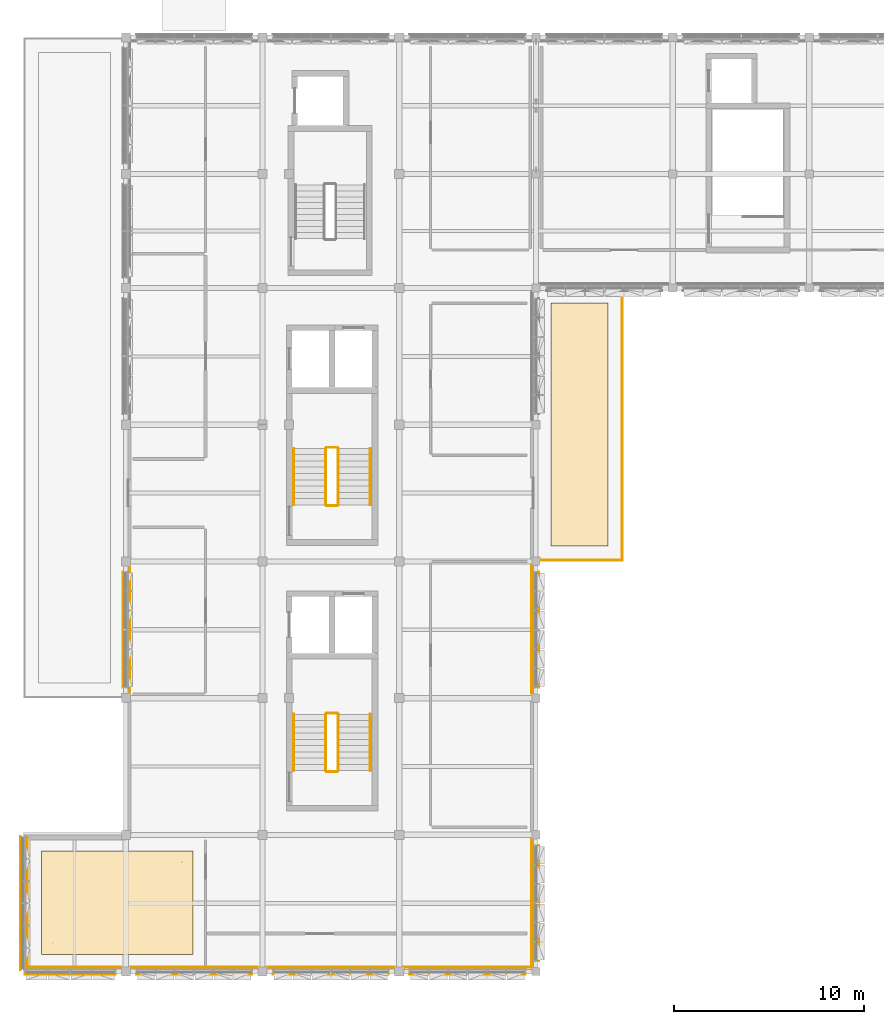
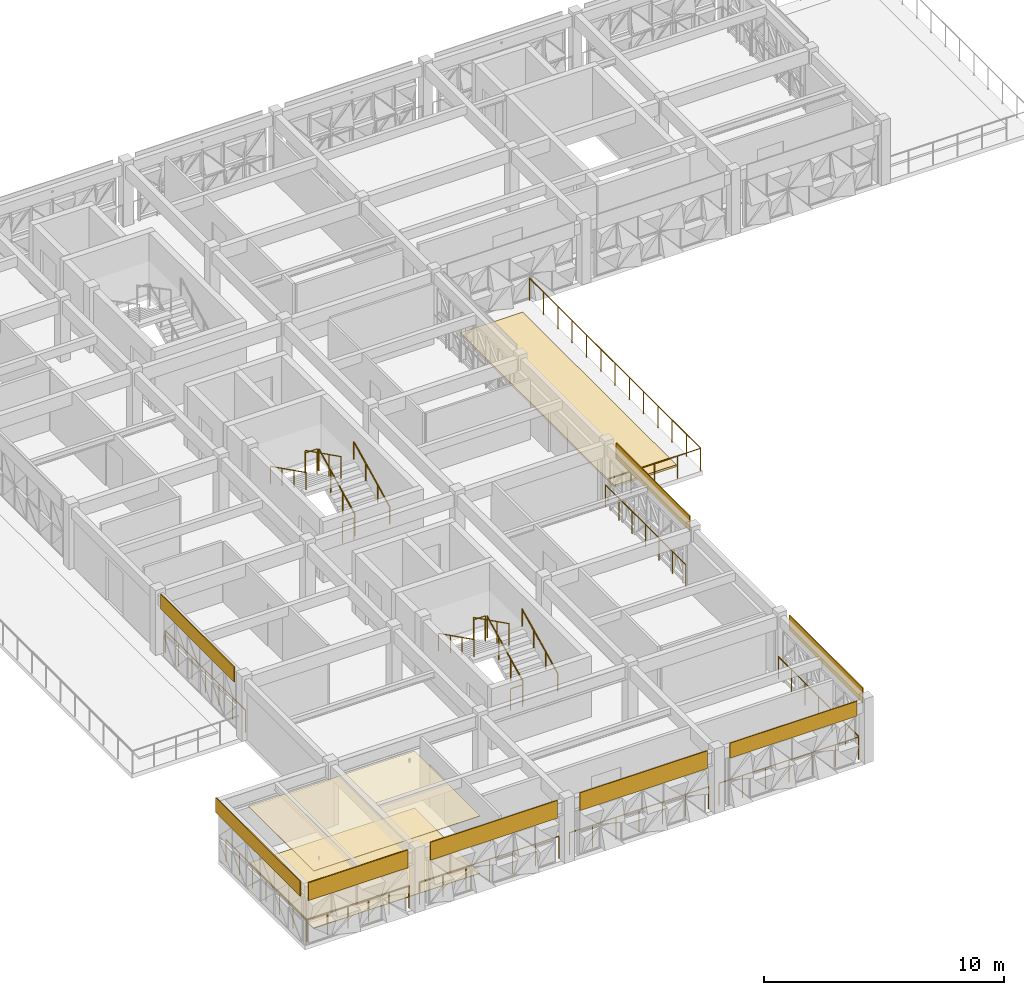
# One storey, part 28 of 35: 22 railings, 11 coverings.
"""IFC4 building model written with IfcOpenShell, lengths in metres."""

from ifc_helpers import new_model, si_unit, direction, frame, origin, origin_2d, place, context, subcontext, project, spatial, polyline, circle, outline, extrude, material, layer, layer_set, type_object, element, save


model = new_model("IFC4")

# Units and contexts
model_context = context("Model", 3, precision=1e-05, world=origin(), true_north=direction((0.0, 1.0)))
body_context = subcontext(model_context, "Body", "Model", "MODEL_VIEW")
ifc_project = project(units=[si_unit("LENGTHUNIT", "METRE"), si_unit("AREAUNIT", "SQUARE_METRE"), si_unit("VOLUMEUNIT", "CUBIC_METRE"), si_unit("PLANEANGLEUNIT", "RADIAN"), si_unit("MASSUNIT", "GRAM", prefix="KILO")], contexts=[model_context])

# Site, building, storey
site_placement = place(None, origin())
site = spatial("IfcSite", under=ifc_project, at=site_placement, CompositionType="ELEMENT")
building_placement = place(site_placement, origin())
building = spatial("IfcBuilding", under=site, at=building_placement, Name="Alvorim Cloister Faculty of Sciences", CompositionType="ELEMENT")
storey_placement = place(building_placement, frame((0.0, 0.0, 22.949951171875)))
storey = spatial("IfcBuildingStorey", under=building, at=storey_placement, Name="L06", CompositionType="ELEMENT", Elevation=22.949951171875)

# Coverings
ifc_material_1 = material(Name="Perforated Timber Acoustic Ceiling", Category="wood")
ifc_layer_1 = layer(ifc_material_1, 0.030029296875)
ifc_layer_set_1 = layer_set([ifc_layer_1], Name="Perforated Timber Acoustic Ceiling")
covering_type_1 = type_object("IfcCoveringType", Name="COV-CEIL-ACOUSTIC", PredefinedType="CEILING", material=ifc_layer_set_1)
covering_1_placement = place(storey_placement, frame((0.0, 0.0, 2.91015625)))
element("IfcCovering", 1, at=covering_1_placement, inside=storey, type_object=covering_type_1, Name="South-West Cantilevered Earth Sciences Salon Acoustic Ceiling", PredefinedType="CEILING", context=body_context, shape_type="SweptSolid", body=[
    extrude(outline(polyline([(2.75, 8.10009765625), (10.75, 8.10009765625), (10.75, 13.550048828125), (2.75, 13.550048828125), (2.75, 8.10009765625)])), origin(), (0.0, 0.0, 1.0), 0.02978515625),
])
ifc_material_2 = material(Name="Anodised Aluminium Alloy 6063-T6", Category="aluminium")
ifc_layer_2 = layer(ifc_material_2, 0.031982421875)
ifc_layer_set_2 = layer_set([ifc_layer_2], Name="Anodised Aluminium Alloy 6063-T6")
covering_type_2 = type_object("IfcCoveringType", Name="COV-FAC-CAS", PredefinedType="CLADDING", material=ifc_layer_set_2)
covering_2_placement = place(storey_placement, frame((1.64990234375, 7.280029296875, 2.537109375), z_axis=(0.0, 0.0, 1.0), x_axis=(0.0, 1.0, 0.0)))
element("IfcCovering", 2, at=covering_2_placement, inside=storey, type_object=covering_type_2, Name="L06 Shifted Bar Slab-Edge Architectural Fascia", PredefinedType="CLADDING", context=body_context, shape_type="SweptSolid", body=[
    extrude(outline(polyline([(0.0, 0.0), (7.0400390625, 0.0), (7.0400390625, 0.7529296875), (0.0, 0.7529296875), (0.0, 0.0)])), frame((0.0, 0.0224609375, 0.0), z_axis=(0.0, -1.0, 0.0), x_axis=(1.0, 0.0, 0.0)), (0.0, 0.0, 1.0), 0.044921875),
])
for number, where, z_axis, x_axis, name in (
    (3, (7.050048828125, 22.139892578125, 2.530029296875), (0.0, 0.0, 1.0), (0.0, 1.0, 0.0), "L06 Shifted Bar Slab-Edge Architectural Fascia"),
    (4, (28.949951171875, 22.139892578125, 2.530029296875), (0.0, 0.0, 1.0), (0.0, 1.0, 0.0), "L06 Shifted Bar Slab-Edge Architectural Fascia"),
    (5, (28.949951171875, 7.739990234375, 2.530029296875), (0.0, 0.0, 1.0), (0.0, 1.0, 0.0), "L06 Shifted Bar Slab-Edge Architectural Fascia"),
    (6, (22.139892578125, 7.050048828125, 2.530029296875), (0.0, 0.0, 1.0), (1.0, 0.0, 0.0), "L06 Shifted Bar Slab-Edge Architectural Fascia"),
):
    element("IfcCovering", number, at=place(storey_placement, frame(where, z_axis=z_axis, x_axis=x_axis)), inside=storey, type_object=covering_type_2, Name=name, PredefinedType="CLADDING", context=body_context, shape_type="SweptSolid", body=[
        extrude(outline(polyline([(0.0, 0.0), (6.1201171875, 0.0), (6.1201171875, 0.760009765625), (0.0, 0.760009765625), (0.0, 0.0)])), frame((0.0, 0.0224609375, 0.0), z_axis=(0.0, -1.0, 0.0), x_axis=(1.0, 0.0, 0.0)), (0.0, 0.0, 1.0), 0.044921875),
    ])
for number, where, z_axis, x_axis, name in (
    (7, (14.93994140625, 7.050048828125, 2.385986328125), (0.0, 0.0, 1.0), (1.0, 0.0, 0.0), "L06 Shifted Bar Slab-Edge Architectural Fascia"),
    (8, (7.739990234375, 7.050048828125, 2.385986328125), (0.0, 0.0, 1.0), (1.0, 0.0, 0.0), "L06 Shifted Bar Slab-Edge Architectural Fascia"),
):
    element("IfcCovering", number, at=place(storey_placement, frame(where, z_axis=z_axis, x_axis=x_axis)), inside=storey, type_object=covering_type_2, Name=name, PredefinedType="CLADDING", context=body_context, shape_type="SweptSolid", body=[
        extrude(outline(polyline([(0.0, 0.0), (6.1201171875, 0.0), (6.1201171875, 0.904052734375), (0.0, 0.904052734375), (0.0, 0.0)])), frame((0.0, 0.0224609375, 0.0), z_axis=(0.0, -1.0, 0.0), x_axis=(1.0, 0.0, 0.0)), (0.0, 0.0, 1.0), 0.044921875),
    ])
covering_3_placement = place(storey_placement, frame((1.8798828125, 7.050048828125, 2.385986328125), z_axis=(0.0, 0.0, 1.0), x_axis=(1.0, 0.0, 0.0)))
element("IfcCovering", 9, at=covering_3_placement, inside=storey, type_object=covering_type_2, Name="L06 Shifted Bar Slab-Edge Architectural Fascia", PredefinedType="CLADDING", context=body_context, shape_type="SweptSolid", body=[
    extrude(outline(polyline([(0.0, 0.0), (4.780029296875, 0.0), (4.780029296875, 0.904052734375), (0.0, 0.904052734375), (0.0, 0.0)])), frame((0.0, 0.0224609375, 0.0), z_axis=(0.0, -1.0, 0.0), x_axis=(1.0, 0.0, 0.0)), (0.0, 0.0, 1.0), 0.044921875),
])
ifc_material_3 = material(Name="Polished Mineral Terrazzo", Category="concrete")
ifc_layer_3 = layer(ifc_material_3, 0.030029296875)
ifc_layer_set_3 = layer_set([ifc_layer_3], Name="Polished Mineral Terrazzo")
covering_type_3 = type_object("IfcCoveringType", Name="COV-FLR-TERRAZZO", PredefinedType="FLOORING", material=ifc_layer_set_3)
covering_4_placement = place(storey_placement, origin())
element("IfcCovering", 10, at=covering_4_placement, inside=storey, type_object=covering_type_3, Name="South-West Cantilevered Earth Sciences Salon Floor Finish", PredefinedType="FLOORING", context=body_context, shape_type="SweptSolid", body=[
    extrude(outline(polyline([(2.75, 8.10009765625), (10.75, 8.10009765625), (10.75, 13.550048828125), (2.75, 13.550048828125), (2.75, 8.10009765625)])), origin(), (0.0, 0.0, 1.0), 0.030029296875),
])
ifc_material_4 = material(Name="Intensive Vegetated Substrate", Category="earth")
ifc_layer_4 = layer(ifc_material_4, 0.10009765625)
ifc_layer_set_4 = layer_set([ifc_layer_4], Name="Intensive Vegetated Substrate")
covering_type_4 = type_object("IfcCoveringType", Name="COV-ROOF-GREEN", PredefinedType="ROOFING", material=ifc_layer_set_4)
covering_5_placement = place(storey_placement, origin())
element("IfcCovering", 11, at=covering_5_placement, inside=storey, type_object=covering_type_4, Name="L06 Upper Cloister Overlook Sky Terrace Quota Ambiental Vegetated Substrate", PredefinedType="ROOFING", context=body_context, shape_type="SweptSolid", body=[
    extrude(outline(polyline([(29.60009765625, 29.60009765625), (32.60009765625, 29.60009765625), (32.60009765625, 42.39990234375), (29.60009765625, 42.39990234375), (29.60009765625, 29.60009765625)])), origin(), (0.0, 0.0, 1.0), 0.10009765625),
])

# Railings
ifc_material_5 = material(Name="Laminated Safety Glass and Bronze", Category="glass")
railing_type_1 = type_object("IfcRailingType", Name="RL-ATR-BAL-1150", PredefinedType="BALUSTRADE", material=ifc_material_5)
for number, where, name in (
    (12, (2.02001953125, 7.449951171875, 0.0), "L06 Curtain Wall Sill Guard BL-234"),
    (13, (7.419921875, 21.85009765625, 0.0), "L06 Curtain Wall Sill Guard BL-235"),
    (14, (28.580078125, 21.85009765625, 0.0), "L06 Curtain Wall Sill Guard BL-250"),
    (15, (28.580078125, 7.449951171875, 0.0), "L06 Curtain Wall Sill Guard BL-251"),
):
    element("IfcRailing", number, at=place(storey_placement, frame(where)), inside=storey, type_object=railing_type_1, Name=name, PredefinedType="BALUSTRADE", context=body_context, shape_type="SweptSolid", body=[
        extrude(circle(Radius=0.02392578125, at=origin_2d()), frame((0.0, 0.0, 1.1259765625), z_axis=(0.0, 1.0, 0.0), x_axis=(-1.0, 0.0, 0.0)), (0.0, 0.0, 1.0), 6.699951171875),
        extrude(circle(Radius=0.02099609375, at=origin_2d()), origin(), (0.0, 0.0, 1.0), 1.101806640625),
        extrude(circle(Radius=0.02099609375, at=origin_2d()), frame((0.0, 1.11669921875, 0.0)), (0.0, 0.0, 1.0), 1.101806640625),
        extrude(circle(Radius=0.02099609375, at=origin_2d()), frame((0.0, 2.2333984375, 0.0)), (0.0, 0.0, 1.0), 1.101806640625),
        extrude(circle(Radius=0.02099609375, at=origin_2d()), frame((0.0, 3.35009765625, 0.0)), (0.0, 0.0, 1.0), 1.101806640625),
        extrude(circle(Radius=0.02099609375, at=origin_2d()), frame((0.0, 4.466552734375, 0.0)), (0.0, 0.0, 1.0), 1.101806640625),
        extrude(circle(Radius=0.02099609375, at=origin_2d()), frame((0.0, 5.583251953125, 0.0)), (0.0, 0.0, 1.0), 1.101806640625),
        extrude(circle(Radius=0.02099609375, at=origin_2d()), frame((0.0, 6.699951171875, 0.0)), (0.0, 0.0, 1.0), 1.101806640625),
    ])
railing_1_placement = place(storey_placement, frame((21.85009765625, 7.419921875, 0.0)))
element("IfcRailing", 16, at=railing_1_placement, inside=storey, type_object=railing_type_1, Name="L06 Curtain Wall Sill Guard BL-252", PredefinedType="BALUSTRADE", context=body_context, shape_type="SweptSolid", body=[
    extrude(circle(Radius=0.02392578125, at=origin_2d()), frame((0.0, 0.0, 1.1259765625), z_axis=(1.0, 0.0, 0.0), x_axis=(0.0, 1.0, 0.0)), (0.0, 0.0, 1.0), 6.699951171875),
    extrude(circle(Radius=0.02099609375, at=origin_2d()), origin(), (0.0, 0.0, 1.0), 1.101806640625),
    extrude(circle(Radius=0.02099609375, at=origin_2d()), frame((1.11669921875, 0.0, 0.0)), (0.0, 0.0, 1.0), 1.101806640625),
    extrude(circle(Radius=0.02099609375, at=origin_2d()), frame((2.2333984375, 0.0, 0.0)), (0.0, 0.0, 1.0), 1.101806640625),
    extrude(circle(Radius=0.02099609375, at=origin_2d()), frame((3.35009765625, 0.0, 0.0)), (0.0, 0.0, 1.0), 1.101806640625),
    extrude(circle(Radius=0.02099609375, at=origin_2d()), frame((4.466552734375, 0.0, 0.0)), (0.0, 0.0, 1.0), 1.101806640625),
    extrude(circle(Radius=0.02099609375, at=origin_2d()), frame((5.583251953125, 0.0, 0.0)), (0.0, 0.0, 1.0), 1.101806640625),
    extrude(circle(Radius=0.02099609375, at=origin_2d()), frame((6.699951171875, 0.0, 0.0)), (0.0, 0.0, 1.0), 1.101806640625),
])
railing_2_placement = place(storey_placement, frame((14.64990234375, 7.419921875, 0.0)))
element("IfcRailing", 17, at=railing_2_placement, inside=storey, type_object=railing_type_1, Name="L06 Curtain Wall Sill Guard BL-253", PredefinedType="BALUSTRADE", context=body_context, shape_type="SweptSolid", body=[
    extrude(circle(Radius=0.02392578125, at=origin_2d()), frame((0.0, 0.0, 1.1259765625), z_axis=(1.0, 0.0, 0.0), x_axis=(0.0, 1.0, 0.0)), (0.0, 0.0, 1.0), 6.7001953125),
    extrude(circle(Radius=0.02099609375, at=origin_2d()), origin(), (0.0, 0.0, 1.0), 1.101806640625),
    extrude(circle(Radius=0.02099609375, at=origin_2d()), frame((1.11669921875, 0.0, 0.0)), (0.0, 0.0, 1.0), 1.101806640625),
    extrude(circle(Radius=0.02099609375, at=origin_2d()), frame((2.2333984375, 0.0, 0.0)), (0.0, 0.0, 1.0), 1.101806640625),
    extrude(circle(Radius=0.02099609375, at=origin_2d()), frame((3.35009765625, 0.0, 0.0)), (0.0, 0.0, 1.0), 1.101806640625),
    extrude(circle(Radius=0.02099609375, at=origin_2d()), frame((4.466796875, 0.0, 0.0)), (0.0, 0.0, 1.0), 1.101806640625),
    extrude(circle(Radius=0.02099609375, at=origin_2d()), frame((5.58349609375, 0.0, 0.0)), (0.0, 0.0, 1.0), 1.101806640625),
    extrude(circle(Radius=0.02099609375, at=origin_2d()), frame((6.7001953125, 0.0, 0.0)), (0.0, 0.0, 1.0), 1.101806640625),
])
railing_3_placement = place(storey_placement, frame((7.449951171875, 7.419921875, 0.0)))
element("IfcRailing", 18, at=railing_3_placement, inside=storey, type_object=railing_type_1, Name="L06 Curtain Wall Sill Guard BL-254", PredefinedType="BALUSTRADE", context=body_context, shape_type="SweptSolid", body=[
    extrude(circle(Radius=0.02392578125, at=origin_2d()), frame((0.0, 0.0, 1.1259765625), z_axis=(1.0, 0.0, 0.0), x_axis=(0.0, 1.0, 0.0)), (0.0, 0.0, 1.0), 6.699951171875),
    extrude(circle(Radius=0.02099609375, at=origin_2d()), origin(), (0.0, 0.0, 1.0), 1.101806640625),
    extrude(circle(Radius=0.02099609375, at=origin_2d()), frame((1.11669921875, 0.0, 0.0)), (0.0, 0.0, 1.0), 1.101806640625),
    extrude(circle(Radius=0.02099609375, at=origin_2d()), frame((2.2333984375, 0.0, 0.0)), (0.0, 0.0, 1.0), 1.101806640625),
    extrude(circle(Radius=0.02099609375, at=origin_2d()), frame((3.35009765625, 0.0, 0.0)), (0.0, 0.0, 1.0), 1.101806640625),
    extrude(circle(Radius=0.02099609375, at=origin_2d()), frame((4.466552734375, 0.0, 0.0)), (0.0, 0.0, 1.0), 1.101806640625),
    extrude(circle(Radius=0.02099609375, at=origin_2d()), frame((5.583251953125, 0.0, 0.0)), (0.0, 0.0, 1.0), 1.101806640625),
    extrude(circle(Radius=0.02099609375, at=origin_2d()), frame((6.699951171875, 0.0, 0.0)), (0.0, 0.0, 1.0), 1.101806640625),
])
railing_4_placement = place(storey_placement, frame((2.050048828125, 7.419921875, 0.0)))
element("IfcRailing", 19, at=railing_4_placement, inside=storey, type_object=railing_type_1, Name="L06 Curtain Wall Sill Guard BL-255", PredefinedType="BALUSTRADE", context=body_context, shape_type="SweptSolid", body=[
    extrude(circle(Radius=0.02392578125, at=origin_2d()), frame((0.0, 0.0, 1.1259765625), z_axis=(1.0, 0.0, 0.0), x_axis=(0.0, 1.0, 0.0)), (0.0, 0.0, 1.0), 4.89990234375),
    extrude(circle(Radius=0.02099609375, at=origin_2d()), origin(), (0.0, 0.0, 1.0), 1.101806640625),
    extrude(circle(Radius=0.02099609375, at=origin_2d()), frame((0.97998046875, 0.0, 0.0)), (0.0, 0.0, 1.0), 1.101806640625),
    extrude(circle(Radius=0.02099609375, at=origin_2d()), frame((1.9599609375, 0.0, 0.0)), (0.0, 0.0, 1.0), 1.101806640625),
    extrude(circle(Radius=0.02099609375, at=origin_2d()), frame((2.93994140625, 0.0, 0.0)), (0.0, 0.0, 1.0), 1.101806640625),
    extrude(circle(Radius=0.02099609375, at=origin_2d()), frame((3.919921875, 0.0, 0.0)), (0.0, 0.0, 1.0), 1.101806640625),
    extrude(circle(Radius=0.02099609375, at=origin_2d()), frame((4.89990234375, 0.0, 0.0)), (0.0, 0.0, 1.0), 1.101806640625),
])
ifc_material_6 = material(Name="Galvanised Painted Steel", Category="steel")
railing_type_2 = type_object("IfcRailingType", Name="RL-STR-GUARD", PredefinedType="GUARDRAIL", material=ifc_material_6)
railing_5_placement = place(storey_placement, frame((18.389892578125, 17.780029296875, 0.1650390625)))
element("IfcRailing", 20, at=railing_5_placement, inside=storey, type_object=railing_type_2, Name="L06 ST-01 stair guard 1", PredefinedType="GUARDRAIL", context=body_context, shape_type="SweptSolid", body=[
    extrude(circle(Radius=0.02392578125, at=origin_2d()), frame((0.0, 0.0, 1.09619140625), z_axis=(0.0, 0.894412485831, 0.447243004629), x_axis=(-1.0, 0.0, 0.0)), (0.0, 0.0, 1.0), 3.320556640625),
    extrude(circle(Radius=0.02099609375, at=origin_2d()), origin(), (0.0, 0.0, 1.0), 1.072021484375),
    extrude(circle(Radius=0.02099609375, at=origin_2d()), frame((0.0, 0.989990234375, 0.4951171875)), (0.0, 0.0, 1.0), 1.072021484375),
    extrude(circle(Radius=0.02099609375, at=origin_2d()), frame((0.0, 1.97998046875, 0.989990234375)), (0.0, 0.0, 1.0), 1.072021484375),
    extrude(circle(Radius=0.02099609375, at=origin_2d()), frame((0.0, 2.969970703125, 1.485107421875)), (0.0, 0.0, 1.0), 1.072021484375),
])
railing_6_placement = place(storey_placement, frame((18.340087890625, 20.800048828125, 1.650146484375)))
element("IfcRailing", 21, at=railing_6_placement, inside=storey, type_object=railing_type_2, Name="L06 ST-01 stair guard 2", PredefinedType="GUARDRAIL", context=body_context, shape_type="SweptSolid", body=[
    extrude(circle(Radius=0.02392578125, at=origin_2d()), frame((0.0, 0.0, 1.09619140625), z_axis=(-1.0, 0.0, 0.0), x_axis=(0.0, -1.0, 0.0)), (0.0, 0.0, 1.0), 0.56005859375),
    extrude(circle(Radius=0.02099609375, at=origin_2d()), origin(), (0.0, 0.0, 1.0), 1.072021484375),
    extrude(circle(Radius=0.02099609375, at=origin_2d()), frame((-0.56005859375, 0.0, 0.0)), (0.0, 0.0, 1.0), 1.072021484375),
])
railing_7_placement = place(storey_placement, frame((17.72998046875, 20.75, 1.81494140625)))
element("IfcRailing", 22, at=railing_7_placement, inside=storey, type_object=railing_type_2, Name="L06 ST-01 stair guard 3", PredefinedType="GUARDRAIL", context=body_context, shape_type="SweptSolid", body=[
    extrude(circle(Radius=0.02392578125, at=origin_2d()), frame((0.0, 0.0, 1.09619140625), z_axis=(0.0, -0.894412485831, 0.447243004629), x_axis=(1.0, 0.0, 0.0)), (0.0, 0.0, 1.0), 3.320556640625),
    extrude(circle(Radius=0.02099609375, at=origin_2d()), origin(), (0.0, 0.0, 1.0), 1.072021484375),
    extrude(circle(Radius=0.02099609375, at=origin_2d()), frame((0.0, -0.989990234375, 0.4951171875)), (0.0, 0.0, 1.0), 1.072021484375),
    extrude(circle(Radius=0.02099609375, at=origin_2d()), frame((0.0, -1.97998046875, 0.989990234375)), (0.0, 0.0, 1.0), 1.072021484375),
    extrude(circle(Radius=0.02099609375, at=origin_2d()), frame((0.0, -2.969970703125, 1.485107421875)), (0.0, 0.0, 1.0), 1.072021484375),
])
railing_8_placement = place(storey_placement, frame((18.340087890625, 17.72998046875, 0.0)))
element("IfcRailing", 23, at=railing_8_placement, inside=storey, type_object=railing_type_2, Name="L06 ST-01 stair guard 4", PredefinedType="GUARDRAIL", context=body_context, shape_type="SweptSolid", body=[
    extrude(circle(Radius=0.02392578125, at=origin_2d()), frame((0.0, 0.0, 1.09619140625), z_axis=(-1.0, 0.0, 0.0), x_axis=(0.0, -1.0, 0.0)), (0.0, 0.0, 1.0), 0.56005859375),
    extrude(circle(Radius=0.02099609375, at=origin_2d()), origin(), (0.0, 0.0, 1.0), 1.072021484375),
    extrude(circle(Radius=0.02099609375, at=origin_2d()), frame((-0.56005859375, 0.0, 0.0)), (0.0, 0.0, 1.0), 1.072021484375),
])
railing_9_placement = place(storey_placement, frame((18.389892578125, 31.780029296875, 0.1650390625)))
element("IfcRailing", 24, at=railing_9_placement, inside=storey, type_object=railing_type_2, Name="L06 ST-02 stair guard 1", PredefinedType="GUARDRAIL", context=body_context, shape_type="SweptSolid", body=[
    extrude(circle(Radius=0.02392578125, at=origin_2d()), frame((0.0, 0.0, 1.09619140625), z_axis=(0.0, 0.894412485831, 0.447243004629), x_axis=(-1.0, 0.0, 0.0)), (0.0, 0.0, 1.0), 3.320556640625),
    extrude(circle(Radius=0.02099609375, at=origin_2d()), origin(), (0.0, 0.0, 1.0), 1.072021484375),
    extrude(circle(Radius=0.02099609375, at=origin_2d()), frame((0.0, 0.989990234375, 0.4951171875)), (0.0, 0.0, 1.0), 1.072021484375),
    extrude(circle(Radius=0.02099609375, at=origin_2d()), frame((0.0, 1.97998046875, 0.989990234375)), (0.0, 0.0, 1.0), 1.072021484375),
    extrude(circle(Radius=0.02099609375, at=origin_2d()), frame((0.0, 2.969970703125, 1.485107421875)), (0.0, 0.0, 1.0), 1.072021484375),
])
railing_10_placement = place(storey_placement, frame((18.340087890625, 34.800048828125, 1.650146484375)))
element("IfcRailing", 25, at=railing_10_placement, inside=storey, type_object=railing_type_2, Name="L06 ST-02 stair guard 2", PredefinedType="GUARDRAIL", context=body_context, shape_type="SweptSolid", body=[
    extrude(circle(Radius=0.02392578125, at=origin_2d()), frame((0.0, 0.0, 1.09619140625), z_axis=(-1.0, 0.0, 0.0), x_axis=(0.0, -1.0, 0.0)), (0.0, 0.0, 1.0), 0.56005859375),
    extrude(circle(Radius=0.02099609375, at=origin_2d()), origin(), (0.0, 0.0, 1.0), 1.072021484375),
    extrude(circle(Radius=0.02099609375, at=origin_2d()), frame((-0.56005859375, 0.0, 0.0)), (0.0, 0.0, 1.0), 1.072021484375),
])
railing_11_placement = place(storey_placement, frame((17.72998046875, 34.75, 1.81494140625)))
element("IfcRailing", 26, at=railing_11_placement, inside=storey, type_object=railing_type_2, Name="L06 ST-02 stair guard 3", PredefinedType="GUARDRAIL", context=body_context, shape_type="SweptSolid", body=[
    extrude(circle(Radius=0.02392578125, at=origin_2d()), frame((0.0, 0.0, 1.09619140625), z_axis=(0.0, -0.894412485831, 0.447243004629), x_axis=(1.0, 0.0, 0.0)), (0.0, 0.0, 1.0), 3.320556640625),
    extrude(circle(Radius=0.02099609375, at=origin_2d()), origin(), (0.0, 0.0, 1.0), 1.072021484375),
    extrude(circle(Radius=0.02099609375, at=origin_2d()), frame((0.0, -0.989990234375, 0.4951171875)), (0.0, 0.0, 1.0), 1.072021484375),
    extrude(circle(Radius=0.02099609375, at=origin_2d()), frame((0.0, -1.97998046875, 0.989990234375)), (0.0, 0.0, 1.0), 1.072021484375),
    extrude(circle(Radius=0.02099609375, at=origin_2d()), frame((0.0, -2.969970703125, 1.485107421875)), (0.0, 0.0, 1.0), 1.072021484375),
])
railing_12_placement = place(storey_placement, frame((18.340087890625, 31.72998046875, 0.0)))
element("IfcRailing", 27, at=railing_12_placement, inside=storey, type_object=railing_type_2, Name="L06 ST-02 stair guard 4", PredefinedType="GUARDRAIL", context=body_context, shape_type="SweptSolid", body=[
    extrude(circle(Radius=0.02392578125, at=origin_2d()), frame((0.0, 0.0, 1.09619140625), z_axis=(-1.0, 0.0, 0.0), x_axis=(0.0, -1.0, 0.0)), (0.0, 0.0, 1.0), 0.56005859375),
    extrude(circle(Radius=0.02099609375, at=origin_2d()), origin(), (0.0, 0.0, 1.0), 1.072021484375),
    extrude(circle(Radius=0.02099609375, at=origin_2d()), frame((-0.56005859375, 0.0, 0.0)), (0.0, 0.0, 1.0), 1.072021484375),
])
ifc_material_7 = material(Name="Brushed Stainless Steel", Category="steel")
railing_type_3 = type_object("IfcRailingType", Name="RL-STR-HAND", PredefinedType="HANDRAIL", material=ifc_material_7)
railing_13_placement = place(storey_placement, frame((20.070068359375, 17.780029296875, 0.1650390625)))
element("IfcRailing", 28, at=railing_13_placement, inside=storey, type_object=railing_type_3, Name="L06 ST-01 stair handrail 1", PredefinedType="HANDRAIL", context=body_context, shape_type="SweptSolid", body=[
    extrude(circle(Radius=0.02392578125, at=origin_2d()), frame((0.0, 0.0, 0.8759765625), z_axis=(0.0, 0.894412485831, 0.447243004629), x_axis=(-1.0, 0.0, 0.0)), (0.0, 0.0, 1.0), 3.320556640625),
    extrude(circle(Radius=0.02099609375, at=origin_2d()), origin(), (0.0, 0.0, 1.0), 0.851806640625),
    extrude(circle(Radius=0.02099609375, at=origin_2d()), frame((0.0, 0.989990234375, 0.4951171875)), (0.0, 0.0, 1.0), 0.851806640625),
    extrude(circle(Radius=0.02099609375, at=origin_2d()), frame((0.0, 1.97998046875, 0.989990234375)), (0.0, 0.0, 1.0), 0.851806640625),
    extrude(circle(Radius=0.02099609375, at=origin_2d()), frame((0.0, 2.969970703125, 1.485107421875)), (0.0, 0.0, 1.0), 0.851806640625),
])
railing_14_placement = place(storey_placement, frame((16.050048828125, 20.75, 1.81494140625)))
element("IfcRailing", 29, at=railing_14_placement, inside=storey, type_object=railing_type_3, Name="L06 ST-01 stair handrail 2", PredefinedType="HANDRAIL", context=body_context, shape_type="SweptSolid", body=[
    extrude(circle(Radius=0.02392578125, at=origin_2d()), frame((0.0, 0.0, 0.8759765625), z_axis=(0.0, -0.894412485831, 0.447243004629), x_axis=(1.0, 0.0, 0.0)), (0.0, 0.0, 1.0), 3.320556640625),
    extrude(circle(Radius=0.02099609375, at=origin_2d()), origin(), (0.0, 0.0, 1.0), 0.851806640625),
    extrude(circle(Radius=0.02099609375, at=origin_2d()), frame((0.0, -0.989990234375, 0.4951171875)), (0.0, 0.0, 1.0), 0.851806640625),
    extrude(circle(Radius=0.02099609375, at=origin_2d()), frame((0.0, -1.97998046875, 0.989990234375)), (0.0, 0.0, 1.0), 0.851806640625),
    extrude(circle(Radius=0.02099609375, at=origin_2d()), frame((0.0, -2.969970703125, 1.485107421875)), (0.0, 0.0, 1.0), 0.851806640625),
])
railing_15_placement = place(storey_placement, frame((20.070068359375, 31.780029296875, 0.1650390625)))
element("IfcRailing", 30, at=railing_15_placement, inside=storey, type_object=railing_type_3, Name="L06 ST-02 stair handrail 1", PredefinedType="HANDRAIL", context=body_context, shape_type="SweptSolid", body=[
    extrude(circle(Radius=0.02392578125, at=origin_2d()), frame((0.0, 0.0, 0.8759765625), z_axis=(0.0, 0.894412485831, 0.447243004629), x_axis=(-1.0, 0.0, 0.0)), (0.0, 0.0, 1.0), 3.320556640625),
    extrude(circle(Radius=0.02099609375, at=origin_2d()), origin(), (0.0, 0.0, 1.0), 0.851806640625),
    extrude(circle(Radius=0.02099609375, at=origin_2d()), frame((0.0, 0.989990234375, 0.4951171875)), (0.0, 0.0, 1.0), 0.851806640625),
    extrude(circle(Radius=0.02099609375, at=origin_2d()), frame((0.0, 1.97998046875, 0.989990234375)), (0.0, 0.0, 1.0), 0.851806640625),
    extrude(circle(Radius=0.02099609375, at=origin_2d()), frame((0.0, 2.969970703125, 1.485107421875)), (0.0, 0.0, 1.0), 0.851806640625),
])
railing_16_placement = place(storey_placement, frame((16.050048828125, 34.75, 1.81494140625)))
element("IfcRailing", 31, at=railing_16_placement, inside=storey, type_object=railing_type_3, Name="L06 ST-02 stair handrail 2", PredefinedType="HANDRAIL", context=body_context, shape_type="SweptSolid", body=[
    extrude(circle(Radius=0.02392578125, at=origin_2d()), frame((0.0, 0.0, 0.8759765625), z_axis=(0.0, -0.894412485831, 0.447243004629), x_axis=(1.0, 0.0, 0.0)), (0.0, 0.0, 1.0), 3.320556640625),
    extrude(circle(Radius=0.02099609375, at=origin_2d()), origin(), (0.0, 0.0, 1.0), 0.851806640625),
    extrude(circle(Radius=0.02099609375, at=origin_2d()), frame((0.0, -0.989990234375, 0.4951171875)), (0.0, 0.0, 1.0), 0.851806640625),
    extrude(circle(Radius=0.02099609375, at=origin_2d()), frame((0.0, -1.97998046875, 0.989990234375)), (0.0, 0.0, 1.0), 0.851806640625),
    extrude(circle(Radius=0.02099609375, at=origin_2d()), frame((0.0, -2.969970703125, 1.485107421875)), (0.0, 0.0, 1.0), 0.851806640625),
])
railing_type_4 = type_object("IfcRailingType", Name="RL-TER-GUARD-1150", PredefinedType="GUARDRAIL", material=ifc_material_6)
railing_17_placement = place(storey_placement, frame((33.340087890625, 28.860107421875, 0.0)))
element("IfcRailing", 32, at=railing_17_placement, inside=storey, type_object=railing_type_4, Name="L06 Upper Cloister Overlook Sky Terrace Perimeter Guard GR-310", PredefinedType="GUARDRAIL", context=body_context, shape_type="SweptSolid", body=[
    extrude(circle(Radius=0.02392578125, at=origin_2d()), frame((0.0, 0.0, 1.1259765625), z_axis=(0.0, 1.0, 0.0), x_axis=(-1.0, 0.0, 0.0)), (0.0, 0.0, 1.0), 14.260009765625),
    extrude(circle(Radius=0.02099609375, at=origin_2d()), origin(), (0.0, 0.0, 1.0), 1.101806640625),
    extrude(circle(Radius=0.02099609375, at=origin_2d()), frame((0.0, 1.188232421875, 0.0)), (0.0, 0.0, 1.0), 1.101806640625),
    extrude(circle(Radius=0.02099609375, at=origin_2d()), frame((0.0, 2.376708984375, 0.0)), (0.0, 0.0, 1.0), 1.101806640625),
    extrude(circle(Radius=0.02099609375, at=origin_2d()), frame((0.0, 3.56494140625, 0.0)), (0.0, 0.0, 1.0), 1.101806640625),
    extrude(circle(Radius=0.02099609375, at=origin_2d()), frame((0.0, 4.75341796875, 0.0)), (0.0, 0.0, 1.0), 1.101806640625),
    extrude(circle(Radius=0.02099609375, at=origin_2d()), frame((0.0, 5.941650390625, 0.0)), (0.0, 0.0, 1.0), 1.101806640625),
    extrude(circle(Radius=0.02099609375, at=origin_2d()), frame((0.0, 7.1298828125, 0.0)), (0.0, 0.0, 1.0), 1.101806640625),
    extrude(circle(Radius=0.02099609375, at=origin_2d()), frame((0.0, 8.318359375, 0.0)), (0.0, 0.0, 1.0), 1.101806640625),
    extrude(circle(Radius=0.02099609375, at=origin_2d()), frame((0.0, 9.506591796875, 0.0)), (0.0, 0.0, 1.0), 1.101806640625),
    extrude(circle(Radius=0.02099609375, at=origin_2d()), frame((0.0, 10.695068359375, 0.0)), (0.0, 0.0, 1.0), 1.101806640625),
    extrude(circle(Radius=0.02099609375, at=origin_2d()), frame((0.0, 11.88330078125, 0.0)), (0.0, 0.0, 1.0), 1.101806640625),
    extrude(circle(Radius=0.02099609375, at=origin_2d()), frame((0.0, 13.07177734375, 0.0)), (0.0, 0.0, 1.0), 1.101806640625),
    extrude(circle(Radius=0.02099609375, at=origin_2d()), frame((0.0, 14.260009765625, 0.0)), (0.0, 0.0, 1.0), 1.101806640625),
])
railing_18_placement = place(storey_placement, frame((28.8798828125, 28.860107421875, 0.0)))
element("IfcRailing", 33, at=railing_18_placement, inside=storey, type_object=railing_type_4, Name="L06 Upper Cloister Overlook Sky Terrace Perimeter Guard GR-311", PredefinedType="GUARDRAIL", context=body_context, shape_type="SweptSolid", body=[
    extrude(circle(Radius=0.02392578125, at=origin_2d()), frame((0.0, 0.0, 1.1259765625), z_axis=(1.0, 0.0, 0.0), x_axis=(0.0, 1.0, 0.0)), (0.0, 0.0, 1.0), 4.460205078125),
    extrude(circle(Radius=0.02099609375, at=origin_2d()), origin(), (0.0, 0.0, 1.0), 1.101806640625),
    extrude(circle(Radius=0.02099609375, at=origin_2d()), frame((1.114990234375, 0.0, 0.0)), (0.0, 0.0, 1.0), 1.101806640625),
    extrude(circle(Radius=0.02099609375, at=origin_2d()), frame((2.22998046875, 0.0, 0.0)), (0.0, 0.0, 1.0), 1.101806640625),
    extrude(circle(Radius=0.02099609375, at=origin_2d()), frame((3.34521484375, 0.0, 0.0)), (0.0, 0.0, 1.0), 1.101806640625),
    extrude(circle(Radius=0.02099609375, at=origin_2d()), frame((4.460205078125, 0.0, 0.0)), (0.0, 0.0, 1.0), 1.101806640625),
])

save(model, "model.ifc")
